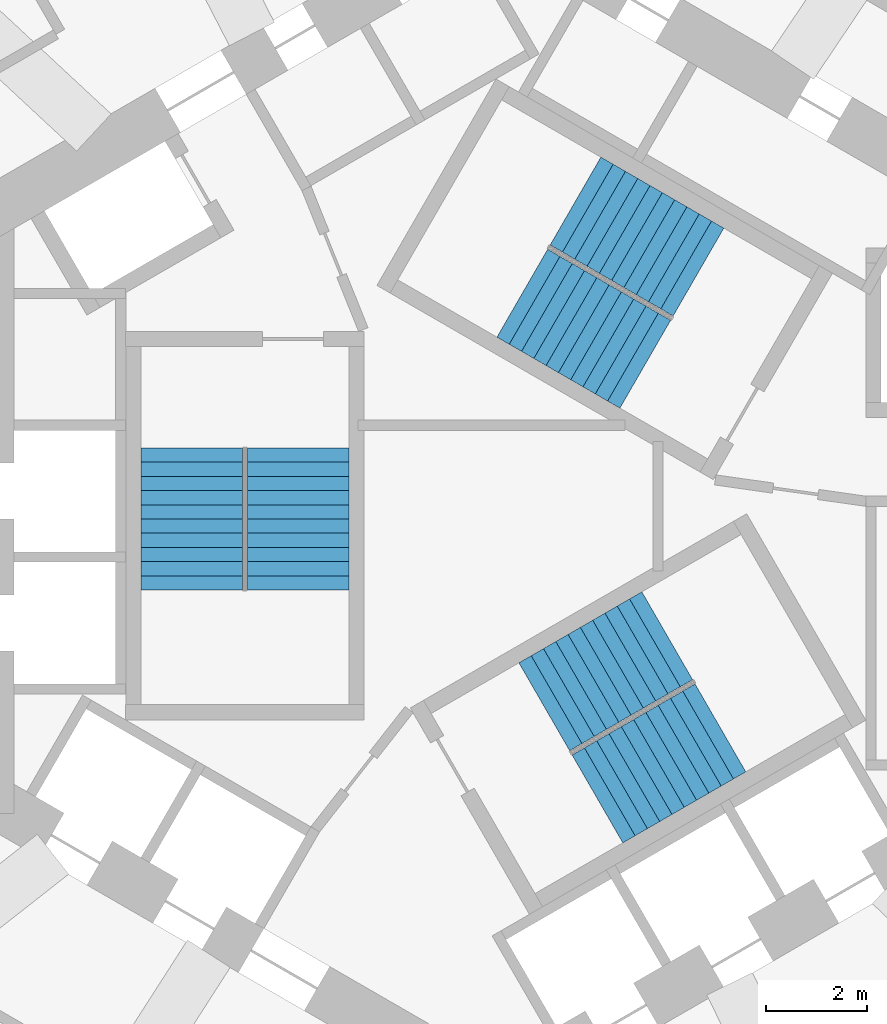
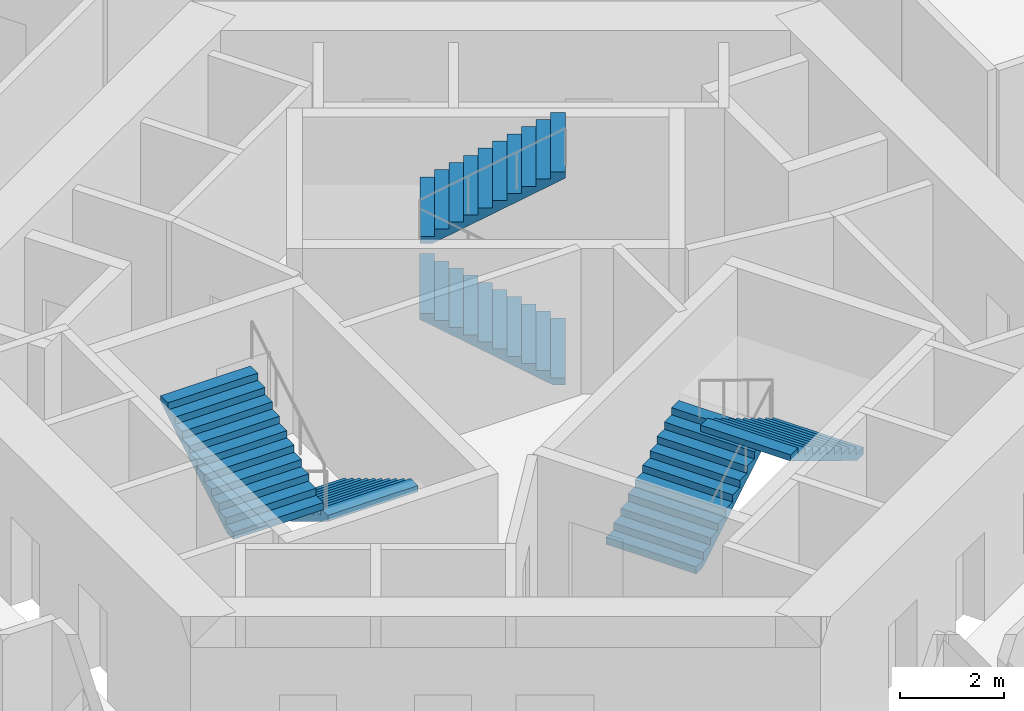
# One storey, part 9 of 11: 6 stair flights, 3 elements without a shape of their own.
"""IFC4 building model written with IfcOpenShell, lengths in metres."""

from ifc_helpers import new_model, si_unit, direction, frame, origin, place, context, subcontext, project, spatial, triangles, source, transform, mapped, material, type_object, element, aggregate, save


model = new_model("IFC4")

# Units and contexts
model_context = context("Model", 3, precision=1e-05, world=origin(), true_north=direction((0.0, 1.0)))
body_context = subcontext(model_context, "Body", "Model", "MODEL_VIEW")
ifc_project = project(units=[si_unit("LENGTHUNIT", "METRE"), si_unit("AREAUNIT", "SQUARE_METRE"), si_unit("VOLUMEUNIT", "CUBIC_METRE"), si_unit("PLANEANGLEUNIT", "RADIAN"), si_unit("MASSUNIT", "GRAM", prefix="KILO")], contexts=[model_context])

# Site, building, storey
site_placement = place(None, origin())
site = spatial("IfcSite", under=ifc_project, at=site_placement, CompositionType="ELEMENT")
building_placement = place(site_placement, origin())
building = spatial("IfcBuilding", under=site, at=building_placement, Name="Vanh Sen Convention Tower", CompositionType="ELEMENT")
storey_placement = place(building_placement, frame((0.0, 0.0, 146.60009765625)))
storey = spatial("IfcBuildingStorey", under=building, at=storey_placement, Name="L35", CompositionType="ELEMENT", Elevation=146.60009765625)

# Stair, stair flights
ifc_material_1 = material(Name="Concrete C50/60", Category="concrete")
stair_type_1 = type_object("IfcStairType", Name="Exit stair ST1 22 risers at 168.2", PredefinedType="HALF_TURN_STAIR", material=ifc_material_1)
stair_1_placement = place(storey_placement, origin())
stair_1 = element("IfcStair", 1, at=stair_1_placement, inside=storey, type_object=stair_type_1, Name="Exit stair ST1 L35", PredefinedType="HALF_TURN_STAIR")
ifc_material_2 = material(Name="Concrete C40/50", Category="concrete")
stair_flight_type = type_object("IfcStairFlightType", Name="Stair flight 2000", PredefinedType="STRAIGHT", material=ifc_material_2)
shared_shape = source(origin(), body_context, "Body", "Tessellation", [
    triangles([(0.24267578125, 1.0, 0.0), (0.0, 1.0, 0.0), (0.0, 1.0, 0.168212890625), (0.280029296875, 1.0, 0.168212890625), (0.280029296875, 1.0, 0.33642578125), (0.56005859375, 1.0, 0.33642578125), (0.56005859375, 1.0, 0.504638671875), (0.840087890625, 1.0, 0.504638671875), (0.840087890625, 1.0, 0.672607421875), (1.1201171875, 1.0, 0.672607421875), (1.1201171875, 1.0, 0.8408203125), (1.39990234375, 1.0, 0.8408203125), (1.39990234375, 1.0, 1.009033203125), (1.679931640625, 1.0, 1.009033203125), (1.679931640625, 1.0, 1.17724609375), (1.9599609375, 1.0, 1.17724609375), (1.9599609375, 1.0, 1.345458984375), (2.239990234375, 1.0, 1.345458984375), (2.239990234375, 1.0, 1.513671875), (2.52001953125, 1.0, 1.513671875), (2.52001953125, 1.0, 1.681884765625), (2.800048828125, 1.0, 1.681884765625), (2.800048828125, 1.0, 1.535888671875), (0.24267578125, -1.0, 0.0), (0.0, -1.0, 0.0), (0.0, -1.0, 0.168212890625), (0.280029296875, -1.0, 0.168212890625), (0.280029296875, -1.0, 0.33642578125), (0.56005859375, -1.0, 0.33642578125), (0.56005859375, -1.0, 0.504638671875), (0.840087890625, -1.0, 0.504638671875), (0.840087890625, -1.0, 0.672607421875), (1.1201171875, -1.0, 0.672607421875), (1.1201171875, -1.0, 0.8408203125), (1.39990234375, -1.0, 0.8408203125), (1.39990234375, -1.0, 1.009033203125), (1.679931640625, -1.0, 1.009033203125), (1.679931640625, -1.0, 1.17724609375), (1.9599609375, -1.0, 1.17724609375), (1.9599609375, -1.0, 1.345458984375), (2.239990234375, -1.0, 1.345458984375), (2.239990234375, -1.0, 1.513671875), (2.52001953125, -1.0, 1.513671875), (2.52001953125, -1.0, 1.681884765625), (2.800048828125, -1.0, 1.681884765625), (2.800048828125, -1.0, 1.535888671875), (0.0, 0.0400390625, 0.0), (0.0, 0.0390625, 0.0), (0.0, 0.0380859375, 0.0), (0.0, 0.037109375, 0.0), (0.0, 0.035888671875, 0.0), (0.0, 0.034912109375, 0.0), (0.0, 0.033935546875, 0.0), (0.0, 0.032958984375, 0.0), (0.0, 0.031982421875, 0.0), (0.0, 0.031005859375, 0.0), (0.0, 0.030029296875, 0.0), (0.0, 0.029052734375, 0.0), (0.0, 0.028076171875, 0.0), (0.0, 0.027099609375, 0.0), (0.0, 0.02587890625, 0.0), (0.0, 0.02490234375, 0.0), (0.0, 0.02392578125, 0.0), (0.0, 0.02294921875, 0.0), (0.0, 0.02197265625, 0.0), (0.0, 0.02099609375, 0.0), (0.0, 0.02001953125, 0.0), (0.0, 0.01904296875, 0.0), (0.0, 0.01806640625, 0.0), (0.0, 0.01708984375, 0.0), (0.0, 0.01611328125, 0.0), (0.0, 0.014892578125, 0.0), (0.0, 0.013916015625, 0.0), (0.0, 0.012939453125, 0.0), (0.0, 0.011962890625, 0.0), (0.0, 0.010986328125, 0.0), (0.0, 0.010009765625, 0.0), (0.0, 0.009033203125, 0.0), (0.0, 0.008056640625, 0.0), (0.0, 0.007080078125, 0.0), (0.0, 0.006103515625, 0.0), (0.0, 0.0048828125, 0.0), (0.0, 0.00390625, 0.0), (0.0, 0.0029296875, 0.0), (0.0, 0.001953125, 0.0), (0.0, 0.0009765625, 0.0), (0.0, 0.0, 0.0), (0.0, -0.0009765625, 0.0), (0.0, -0.001953125, 0.0), (0.0, -0.0029296875, 0.0), (0.0, -0.00390625, 0.0), (0.0, -0.0048828125, 0.0), (0.0, -0.006103515625, 0.0), (0.0, -0.007080078125, 0.0), (0.0, -0.008056640625, 0.0), (0.0, -0.009033203125, 0.0), (0.0, -0.010009765625, 0.0), (0.0, -0.010986328125, 0.0), (0.0, -0.011962890625, 0.0), (0.0, -0.012939453125, 0.0), (0.0, -0.013916015625, 0.0), (0.0, -0.014892578125, 0.0), (0.0, -0.01611328125, 0.0), (0.0, -0.01708984375, 0.0), (0.0, -0.01806640625, 0.0), (0.0, -0.01904296875, 0.0), (0.0, -0.02001953125, 0.0), (0.0, -0.02099609375, 0.0), (0.0, -0.02197265625, 0.0), (0.0, -0.02294921875, 0.0), (0.0, -0.02392578125, 0.0), (0.0, -0.02490234375, 0.0), (0.0, -0.02587890625, 0.0), (0.0, -0.027099609375, 0.0), (0.0, -0.028076171875, 0.0), (0.0, -0.029052734375, 0.0), (0.0, -0.030029296875, 0.0), (0.0, -0.031005859375, 0.0), (0.0, -0.031982421875, 0.0), (0.0, -0.032958984375, 0.0), (0.0, -0.033935546875, 0.0), (0.0, -0.034912109375, 0.0), (0.0, -0.035888671875, 0.0), (0.0, -0.037109375, 0.0), (0.0, -0.0380859375, 0.0), (0.0, -0.0390625, 0.0), (0.0, -0.0400390625, 0.0), (0.0, 0.0400390625, 0.168212890625), (0.0, 0.0390625, 0.168212890625), (0.0, 0.0380859375, 0.168212890625), (0.0, 0.037109375, 0.168212890625), (0.0, 0.035888671875, 0.168212890625), (0.0, 0.034912109375, 0.168212890625), (0.0, 0.033935546875, 0.168212890625), (0.0, 0.032958984375, 0.168212890625), (0.0, 0.031982421875, 0.168212890625), (0.0, 0.031005859375, 0.168212890625), (0.0, 0.030029296875, 0.168212890625), (0.0, 0.029052734375, 0.168212890625), (0.0, 0.028076171875, 0.168212890625), (0.0, 0.027099609375, 0.168212890625), (0.0, 0.02587890625, 0.168212890625), (0.0, 0.02490234375, 0.168212890625), (0.0, 0.02392578125, 0.168212890625), (0.0, 0.02294921875, 0.168212890625), (0.0, 0.02197265625, 0.168212890625), (0.0, 0.02099609375, 0.168212890625), (0.0, 0.02001953125, 0.168212890625), (0.0, 0.01904296875, 0.168212890625), (0.0, 0.01806640625, 0.168212890625), (0.0, 0.01708984375, 0.168212890625), (0.0, 0.01611328125, 0.168212890625), (0.0, 0.014892578125, 0.168212890625), (0.0, 0.013916015625, 0.168212890625), (0.0, 0.012939453125, 0.168212890625), (0.0, 0.011962890625, 0.168212890625), (0.0, 0.010986328125, 0.168212890625), (0.0, 0.010009765625, 0.168212890625), (0.0, 0.009033203125, 0.168212890625), (0.0, 0.008056640625, 0.168212890625), (0.0, 0.007080078125, 0.168212890625), (0.0, 0.006103515625, 0.168212890625), (0.0, 0.0048828125, 0.168212890625), (0.0, 0.00390625, 0.168212890625), (0.0, 0.0029296875, 0.168212890625), (0.0, 0.001953125, 0.168212890625), (0.0, 0.0009765625, 0.168212890625), (0.0, 0.0, 0.168212890625), (0.0, -0.0009765625, 0.168212890625), (0.0, -0.001953125, 0.168212890625), (0.0, -0.0029296875, 0.168212890625), (0.0, -0.00390625, 0.168212890625), (0.0, -0.0048828125, 0.168212890625), (0.0, -0.006103515625, 0.168212890625), (0.0, -0.007080078125, 0.168212890625), (0.0, -0.008056640625, 0.168212890625), (0.0, -0.009033203125, 0.168212890625), (0.0, -0.010009765625, 0.168212890625), (0.0, -0.010986328125, 0.168212890625), (0.0, -0.011962890625, 0.168212890625), (0.0, -0.012939453125, 0.168212890625), (0.0, -0.013916015625, 0.168212890625), (0.0, -0.014892578125, 0.168212890625), (0.0, -0.01611328125, 0.168212890625), (0.0, -0.01708984375, 0.168212890625), (0.0, -0.01806640625, 0.168212890625), (0.0, -0.01904296875, 0.168212890625), (0.0, -0.02001953125, 0.168212890625), (0.0, -0.02099609375, 0.168212890625), (0.0, -0.02197265625, 0.168212890625), (0.0, -0.02294921875, 0.168212890625), (0.0, -0.02392578125, 0.168212890625), (0.0, -0.02490234375, 0.168212890625), (0.0, -0.02587890625, 0.168212890625), (0.0, -0.027099609375, 0.168212890625), (0.0, -0.028076171875, 0.168212890625), (0.0, -0.029052734375, 0.168212890625), (0.0, -0.030029296875, 0.168212890625), (0.0, -0.031005859375, 0.168212890625), (0.0, -0.031982421875, 0.168212890625), (0.0, -0.032958984375, 0.168212890625), (0.0, -0.033935546875, 0.168212890625), (0.0, -0.034912109375, 0.168212890625), (0.0, -0.035888671875, 0.168212890625), (0.0, -0.037109375, 0.168212890625), (0.0, -0.0380859375, 0.168212890625), (0.0, -0.0390625, 0.168212890625), (0.0, -0.0400390625, 0.168212890625), (0.280029296875, 0.0, 0.168212890625), (0.280029296875, 0.0, 0.33642578125), (0.56005859375, 0.0, 0.33642578125), (0.56005859375, 0.0, 0.504638671875), (0.840087890625, 0.0, 0.504638671875), (0.840087890625, 0.0, 0.672607421875), (1.1201171875, 0.0, 0.672607421875), (1.1201171875, 0.0, 0.8408203125), (1.39990234375, 0.0, 0.8408203125), (1.39990234375, 0.0, 1.009033203125), (1.679931640625, 0.0, 1.009033203125), (1.679931640625, 0.0, 1.17724609375), (1.9599609375, 0.0, 1.17724609375), (1.9599609375, 0.0, 1.345458984375), (2.239990234375, 0.0, 1.345458984375), (2.239990234375, 0.0, 1.513671875), (2.52001953125, 0.0, 1.513671875), (2.52001953125, 0.0, 1.681884765625), (2.800048828125, 0.0400390625, 1.681884765625), (2.800048828125, 0.0390625, 1.681884765625), (2.800048828125, 0.0380859375, 1.681884765625), (2.800048828125, 0.037109375, 1.681884765625), (2.800048828125, 0.035888671875, 1.681884765625), (2.800048828125, 0.034912109375, 1.681884765625), (2.800048828125, 0.033935546875, 1.681884765625), (2.800048828125, 0.032958984375, 1.681884765625), (2.800048828125, 0.031982421875, 1.681884765625), (2.800048828125, 0.031005859375, 1.681884765625), (2.800048828125, 0.030029296875, 1.681884765625), (2.800048828125, 0.029052734375, 1.681884765625), (2.800048828125, 0.028076171875, 1.681884765625), (2.800048828125, 0.027099609375, 1.681884765625), (2.800048828125, 0.02587890625, 1.681884765625), (2.800048828125, 0.02490234375, 1.681884765625), (2.800048828125, 0.02392578125, 1.681884765625), (2.800048828125, 0.02294921875, 1.681884765625), (2.800048828125, 0.02197265625, 1.681884765625), (2.800048828125, 0.02099609375, 1.681884765625), (2.800048828125, 0.02001953125, 1.681884765625), (2.800048828125, 0.01904296875, 1.681884765625), (2.800048828125, 0.01806640625, 1.681884765625), (2.800048828125, 0.01708984375, 1.681884765625), (2.800048828125, 0.01611328125, 1.681884765625), (2.800048828125, 0.014892578125, 1.681884765625), (2.800048828125, 0.013916015625, 1.681884765625), (2.800048828125, 0.012939453125, 1.681884765625), (2.800048828125, 0.011962890625, 1.681884765625), (2.800048828125, 0.010986328125, 1.681884765625), (2.800048828125, 0.010009765625, 1.681884765625), (2.800048828125, 0.009033203125, 1.681884765625), (2.800048828125, 0.008056640625, 1.681884765625), (2.800048828125, 0.007080078125, 1.681884765625), (2.800048828125, 0.006103515625, 1.681884765625), (2.800048828125, 0.0048828125, 1.681884765625), (2.800048828125, 0.00390625, 1.681884765625), (2.800048828125, 0.0029296875, 1.681884765625), (2.800048828125, 0.001953125, 1.681884765625), (2.800048828125, 0.0009765625, 1.681884765625), (2.800048828125, 0.0, 1.681884765625), (2.800048828125, -0.0009765625, 1.681884765625), (2.800048828125, -0.001953125, 1.681884765625), (2.800048828125, -0.0029296875, 1.681884765625), (2.800048828125, -0.00390625, 1.681884765625), (2.800048828125, -0.0048828125, 1.681884765625), (2.800048828125, -0.006103515625, 1.681884765625), (2.800048828125, -0.007080078125, 1.681884765625), (2.800048828125, -0.008056640625, 1.681884765625), (2.800048828125, -0.009033203125, 1.681884765625), (2.800048828125, -0.010009765625, 1.681884765625), (2.800048828125, -0.010986328125, 1.681884765625), (2.800048828125, -0.011962890625, 1.681884765625), (2.800048828125, -0.012939453125, 1.681884765625), (2.800048828125, -0.013916015625, 1.681884765625), (2.800048828125, -0.014892578125, 1.681884765625), (2.800048828125, -0.01611328125, 1.681884765625), (2.800048828125, -0.01708984375, 1.681884765625), (2.800048828125, -0.01806640625, 1.681884765625), (2.800048828125, -0.01904296875, 1.681884765625), (2.800048828125, -0.02001953125, 1.681884765625), (2.800048828125, -0.02099609375, 1.681884765625), (2.800048828125, -0.02197265625, 1.681884765625), (2.800048828125, -0.02294921875, 1.681884765625), (2.800048828125, -0.02392578125, 1.681884765625), (2.800048828125, -0.02490234375, 1.681884765625), (2.800048828125, -0.02587890625, 1.681884765625), (2.800048828125, -0.027099609375, 1.681884765625), (2.800048828125, -0.028076171875, 1.681884765625), (2.800048828125, -0.029052734375, 1.681884765625), (2.800048828125, -0.030029296875, 1.681884765625), (2.800048828125, -0.031005859375, 1.681884765625), (2.800048828125, -0.031982421875, 1.681884765625), (2.800048828125, -0.032958984375, 1.681884765625), (2.800048828125, -0.033935546875, 1.681884765625), (2.800048828125, -0.034912109375, 1.681884765625), (2.800048828125, -0.035888671875, 1.681884765625), (2.800048828125, -0.037109375, 1.681884765625), (2.800048828125, -0.0380859375, 1.681884765625), (2.800048828125, -0.0390625, 1.681884765625), (2.800048828125, -0.0400390625, 1.681884765625), (2.800048828125, 0.0400390625, 1.535888671875), (2.800048828125, 0.0390625, 1.535888671875), (2.800048828125, 0.0380859375, 1.535888671875), (2.800048828125, 0.037109375, 1.535888671875), (2.800048828125, 0.035888671875, 1.535888671875), (2.800048828125, 0.034912109375, 1.535888671875), (2.800048828125, 0.033935546875, 1.535888671875), (2.800048828125, 0.032958984375, 1.535888671875), (2.800048828125, 0.031982421875, 1.535888671875), (2.800048828125, 0.031005859375, 1.535888671875), (2.800048828125, 0.030029296875, 1.535888671875), (2.800048828125, 0.029052734375, 1.535888671875), (2.800048828125, 0.028076171875, 1.535888671875), (2.800048828125, 0.027099609375, 1.535888671875), (2.800048828125, 0.02587890625, 1.535888671875), (2.800048828125, 0.02490234375, 1.535888671875), (2.800048828125, 0.02392578125, 1.535888671875), (2.800048828125, 0.02294921875, 1.535888671875), (2.800048828125, 0.02197265625, 1.535888671875), (2.800048828125, 0.02099609375, 1.535888671875), (2.800048828125, 0.02001953125, 1.535888671875), (2.800048828125, 0.01904296875, 1.535888671875), (2.800048828125, 0.01806640625, 1.535888671875), (2.800048828125, 0.01708984375, 1.535888671875), (2.800048828125, 0.01611328125, 1.535888671875), (2.800048828125, 0.014892578125, 1.535888671875), (2.800048828125, 0.013916015625, 1.535888671875), (2.800048828125, 0.012939453125, 1.535888671875), (2.800048828125, 0.011962890625, 1.535888671875), (2.800048828125, 0.010986328125, 1.535888671875), (2.800048828125, 0.010009765625, 1.535888671875), (2.800048828125, 0.009033203125, 1.535888671875), (2.800048828125, 0.008056640625, 1.535888671875), (2.800048828125, 0.007080078125, 1.535888671875), (2.800048828125, 0.006103515625, 1.535888671875), (2.800048828125, 0.0048828125, 1.535888671875), (2.800048828125, 0.00390625, 1.535888671875), (2.800048828125, 0.0029296875, 1.535888671875), (2.800048828125, 0.001953125, 1.535888671875), (2.800048828125, 0.0009765625, 1.535888671875), (2.800048828125, 0.0, 1.535888671875), (2.800048828125, -0.0009765625, 1.535888671875), (2.800048828125, -0.001953125, 1.535888671875), (2.800048828125, -0.0029296875, 1.535888671875), (2.800048828125, -0.00390625, 1.535888671875), (2.800048828125, -0.0048828125, 1.535888671875), (2.800048828125, -0.006103515625, 1.535888671875), (2.800048828125, -0.007080078125, 1.535888671875), (2.800048828125, -0.008056640625, 1.535888671875), (2.800048828125, -0.009033203125, 1.535888671875), (2.800048828125, -0.010009765625, 1.535888671875), (2.800048828125, -0.010986328125, 1.535888671875), (2.800048828125, -0.011962890625, 1.535888671875), (2.800048828125, -0.012939453125, 1.535888671875), (2.800048828125, -0.013916015625, 1.535888671875), (2.800048828125, -0.014892578125, 1.535888671875), (2.800048828125, -0.01611328125, 1.535888671875), (2.800048828125, -0.01708984375, 1.535888671875), (2.800048828125, -0.01806640625, 1.535888671875), (2.800048828125, -0.01904296875, 1.535888671875), (2.800048828125, -0.02001953125, 1.535888671875), (2.800048828125, -0.02099609375, 1.535888671875), (2.800048828125, -0.02197265625, 1.535888671875), (2.800048828125, -0.02294921875, 1.535888671875), (2.800048828125, -0.02392578125, 1.535888671875), (2.800048828125, -0.02490234375, 1.535888671875), (2.800048828125, -0.02587890625, 1.535888671875), (2.800048828125, -0.027099609375, 1.535888671875), (2.800048828125, -0.028076171875, 1.535888671875), (2.800048828125, -0.029052734375, 1.535888671875), (2.800048828125, -0.030029296875, 1.535888671875), (2.800048828125, -0.031005859375, 1.535888671875), (2.800048828125, -0.031982421875, 1.535888671875), (2.800048828125, -0.032958984375, 1.535888671875), (2.800048828125, -0.033935546875, 1.535888671875), (2.800048828125, -0.034912109375, 1.535888671875), (2.800048828125, -0.035888671875, 1.535888671875), (2.800048828125, -0.037109375, 1.535888671875), (2.800048828125, -0.0380859375, 1.535888671875), (2.800048828125, -0.0390625, 1.535888671875), (2.800048828125, -0.0400390625, 1.535888671875), (0.24267578125, 0.0, 0.0)], [[1, 2, 3], [1, 3, 4], [4, 5, 6], [1, 4, 6], [6, 7, 8], [1, 6, 8], [8, 9, 10], [1, 8, 10], [10, 11, 12], [1, 10, 12], [12, 13, 14], [1, 12, 14], [14, 15, 16], [1, 14, 16], [16, 17, 18], [1, 16, 18], [18, 19, 20], [1, 18, 20], [20, 21, 22], [1, 20, 22], [22, 23, 1], [24, 26, 25], [24, 27, 26], [27, 29, 28], [24, 29, 27], [29, 31, 30], [24, 31, 29], [31, 33, 32], [24, 33, 31], [33, 35, 34], [24, 35, 33], [35, 37, 36], [24, 37, 35], [37, 39, 38], [24, 39, 37], [39, 41, 40], [24, 41, 39], [41, 43, 42], [24, 43, 41], [43, 45, 44], [24, 45, 43], [45, 24, 46], [2, 128, 3], [2, 47, 128], [47, 129, 128], [47, 48, 129], [48, 130, 129], [48, 49, 130], [49, 131, 130], [49, 50, 131], [50, 132, 131], [50, 51, 132], [51, 133, 132], [51, 52, 133], [52, 134, 133], [52, 53, 134], [53, 135, 134], [53, 54, 135], [54, 136, 135], [54, 55, 136], [55, 137, 136], [55, 56, 137], [56, 138, 137], [56, 57, 138], [57, 139, 138], [57, 58, 139], [58, 140, 139], [58, 59, 140], [59, 141, 140], [59, 60, 141], [60, 142, 141], [60, 61, 142], [61, 143, 142], [61, 62, 143], [62, 144, 143], [62, 63, 144], [63, 145, 144], [63, 64, 145], [64, 146, 145], [64, 65, 146], [65, 147, 146], [65, 66, 147], [66, 148, 147], [66, 67, 148], [67, 149, 148], [67, 68, 149], [68, 150, 149], [68, 69, 150], [69, 151, 150], [69, 70, 151], [70, 152, 151], [70, 71, 152], [71, 153, 152], [71, 72, 153], [72, 154, 153], [72, 73, 154], [73, 155, 154], [73, 74, 155], [74, 156, 155], [74, 75, 156], [75, 157, 156], [75, 76, 157], [76, 158, 157], [76, 77, 158], [77, 159, 158], [77, 78, 159], [78, 160, 159], [78, 79, 160], [79, 161, 160], [79, 80, 161], [80, 162, 161], [80, 81, 162], [81, 163, 162], [81, 82, 163], [82, 164, 163], [82, 83, 164], [83, 165, 164], [83, 84, 165], [84, 166, 165], [84, 85, 166], [85, 167, 166], [85, 86, 167], [86, 168, 167], [86, 87, 168], [87, 88, 168], [168, 88, 169], [88, 89, 169], [169, 89, 170], [89, 90, 170], [170, 90, 171], [90, 91, 171], [171, 91, 172], [91, 92, 172], [172, 92, 173], [92, 93, 173], [173, 93, 174], [93, 94, 174], [174, 94, 175], [94, 95, 175], [175, 95, 176], [95, 96, 176], [176, 96, 177], [96, 97, 177], [177, 97, 178], [97, 98, 178], [178, 98, 179], [98, 99, 179], [179, 99, 180], [99, 100, 180], [180, 100, 181], [100, 101, 181], [181, 101, 182], [101, 102, 182], [182, 102, 183], [102, 103, 183], [183, 103, 184], [103, 104, 184], [184, 104, 185], [104, 105, 185], [185, 105, 186], [105, 106, 186], [186, 106, 187], [106, 107, 187], [187, 107, 188], [107, 108, 188], [188, 108, 189], [108, 109, 189], [189, 109, 190], [109, 110, 190], [190, 110, 191], [110, 111, 191], [191, 111, 192], [111, 112, 192], [192, 112, 193], [112, 113, 193], [193, 113, 194], [113, 114, 194], [194, 114, 195], [114, 115, 195], [195, 115, 196], [115, 116, 196], [196, 116, 197], [116, 117, 197], [197, 117, 198], [117, 118, 198], [198, 118, 199], [118, 119, 199], [199, 119, 200], [119, 120, 200], [200, 120, 201], [120, 121, 201], [201, 121, 202], [121, 122, 202], [202, 122, 203], [122, 123, 203], [203, 123, 204], [123, 124, 204], [204, 124, 205], [124, 125, 205], [205, 125, 206], [125, 126, 206], [206, 126, 207], [126, 127, 207], [207, 127, 208], [127, 25, 208], [208, 25, 26], [4, 3, 128], [4, 128, 129], [4, 129, 130], [4, 130, 131], [4, 131, 132], [4, 132, 133], [4, 133, 134], [4, 134, 135], [4, 135, 136], [4, 136, 137], [4, 137, 138], [4, 138, 139], [4, 139, 140], [4, 140, 141], [4, 141, 142], [4, 142, 143], [4, 143, 144], [4, 144, 145], [4, 145, 146], [4, 146, 147], [4, 147, 148], [4, 148, 149], [4, 149, 150], [4, 150, 151], [4, 151, 152], [4, 152, 153], [4, 153, 154], [4, 154, 155], [4, 155, 156], [4, 156, 157], [4, 157, 158], [4, 158, 159], [4, 159, 160], [4, 160, 161], [4, 161, 162], [4, 162, 163], [4, 163, 164], [4, 164, 165], [4, 165, 166], [4, 166, 167], [4, 167, 168], [27, 168, 169], [27, 169, 170], [27, 170, 171], [27, 171, 172], [27, 172, 173], [27, 173, 174], [27, 174, 175], [27, 175, 176], [27, 176, 177], [27, 177, 178], [27, 178, 179], [27, 179, 180], [27, 180, 181], [27, 181, 182], [27, 182, 183], [27, 183, 184], [27, 184, 185], [27, 185, 186], [27, 186, 187], [27, 187, 188], [27, 188, 189], [27, 189, 190], [27, 190, 191], [27, 191, 192], [27, 192, 193], [27, 193, 194], [27, 194, 195], [27, 195, 196], [27, 196, 197], [27, 197, 198], [27, 198, 199], [27, 199, 200], [27, 200, 201], [27, 201, 202], [27, 202, 203], [27, 203, 204], [27, 204, 205], [27, 205, 206], [27, 206, 207], [27, 207, 208], [27, 208, 26], [4, 168, 209], [27, 209, 168], [4, 210, 5], [4, 209, 210], [209, 27, 210], [210, 27, 28], [5, 211, 6], [5, 210, 211], [210, 28, 211], [211, 28, 29], [6, 212, 7], [6, 211, 212], [211, 29, 212], [212, 29, 30], [7, 213, 8], [7, 212, 213], [212, 30, 213], [213, 30, 31], [8, 214, 9], [8, 213, 214], [213, 31, 214], [214, 31, 32], [9, 215, 10], [9, 214, 215], [214, 32, 215], [215, 32, 33], [10, 216, 11], [10, 215, 216], [215, 33, 216], [216, 33, 34], [11, 217, 12], [11, 216, 217], [216, 34, 217], [217, 34, 35], [12, 218, 13], [12, 217, 218], [217, 35, 218], [218, 35, 36], [13, 219, 14], [13, 218, 219], [218, 36, 219], [219, 36, 37], [14, 220, 15], [14, 219, 220], [219, 37, 220], [220, 37, 38], [15, 221, 16], [15, 220, 221], [220, 38, 221], [221, 38, 39], [16, 222, 17], [16, 221, 222], [221, 39, 222], [222, 39, 40], [17, 223, 18], [17, 222, 223], [222, 40, 223], [223, 40, 41], [18, 224, 19], [18, 223, 224], [223, 41, 224], [224, 41, 42], [19, 225, 20], [19, 224, 225], [224, 42, 225], [225, 42, 43], [20, 226, 21], [20, 225, 226], [225, 43, 226], [226, 43, 44], [21, 227, 22], [21, 228, 227], [21, 229, 228], [21, 230, 229], [21, 231, 230], [21, 232, 231], [21, 233, 232], [21, 234, 233], [21, 235, 234], [21, 236, 235], [21, 237, 236], [21, 238, 237], [21, 239, 238], [21, 240, 239], [21, 241, 240], [21, 242, 241], [21, 243, 242], [21, 244, 243], [21, 245, 244], [21, 246, 245], [21, 247, 246], [21, 248, 247], [21, 249, 248], [21, 250, 249], [21, 251, 250], [21, 252, 251], [21, 253, 252], [21, 254, 253], [21, 255, 254], [21, 256, 255], [21, 257, 256], [21, 258, 257], [21, 259, 258], [21, 260, 259], [21, 261, 260], [21, 262, 261], [21, 263, 262], [21, 264, 263], [21, 265, 264], [21, 266, 265], [21, 267, 266], [44, 268, 267], [44, 269, 268], [44, 270, 269], [44, 271, 270], [44, 272, 271], [44, 273, 272], [44, 274, 273], [44, 275, 274], [44, 276, 275], [44, 277, 276], [44, 278, 277], [44, 279, 278], [44, 280, 279], [44, 281, 280], [44, 282, 281], [44, 283, 282], [44, 284, 283], [44, 285, 284], [44, 286, 285], [44, 287, 286], [44, 288, 287], [44, 289, 288], [44, 290, 289], [44, 291, 290], [44, 292, 291], [44, 293, 292], [44, 294, 293], [44, 295, 294], [44, 296, 295], [44, 297, 296], [44, 298, 297], [44, 299, 298], [44, 300, 299], [44, 301, 300], [44, 302, 301], [44, 303, 302], [44, 304, 303], [44, 305, 304], [44, 306, 305], [44, 307, 306], [44, 45, 307], [21, 226, 267], [44, 267, 226], [22, 308, 23], [22, 227, 308], [227, 309, 308], [227, 228, 309], [228, 310, 309], [228, 229, 310], [229, 311, 310], [229, 230, 311], [230, 312, 311], [230, 231, 312], [231, 313, 312], [231, 232, 313], [232, 314, 313], [232, 233, 314], [233, 315, 314], [233, 234, 315], [234, 316, 315], [234, 235, 316], [235, 317, 316], [235, 236, 317], [236, 318, 317], [236, 237, 318], [237, 319, 318], [237, 238, 319], [238, 320, 319], [238, 239, 320], [239, 321, 320], [239, 240, 321], [240, 322, 321], [240, 241, 322], [241, 323, 322], [241, 242, 323], [242, 324, 323], [242, 243, 324], [243, 325, 324], [243, 244, 325], [244, 326, 325], [244, 245, 326], [245, 327, 326], [245, 246, 327], [246, 328, 327], [246, 247, 328], [247, 329, 328], [247, 248, 329], [248, 330, 329], [248, 249, 330], [249, 331, 330], [249, 250, 331], [250, 332, 331], [250, 251, 332], [251, 333, 332], [251, 252, 333], [252, 334, 333], [252, 253, 334], [253, 335, 334], [253, 254, 335], [254, 336, 335], [254, 255, 336], [255, 337, 336], [255, 256, 337], [256, 338, 337], [256, 257, 338], [257, 339, 338], [257, 258, 339], [258, 340, 339], [258, 259, 340], [259, 341, 340], [259, 260, 341], [260, 342, 341], [260, 261, 342], [261, 343, 342], [261, 262, 343], [262, 344, 343], [262, 263, 344], [263, 345, 344], [263, 264, 345], [264, 346, 345], [264, 265, 346], [265, 347, 346], [265, 266, 347], [266, 348, 347], [266, 267, 348], [267, 268, 348], [348, 268, 349], [268, 269, 349], [349, 269, 350], [269, 270, 350], [350, 270, 351], [270, 271, 351], [351, 271, 352], [271, 272, 352], [352, 272, 353], [272, 273, 353], [353, 273, 354], [273, 274, 354], [354, 274, 355], [274, 275, 355], [355, 275, 356], [275, 276, 356], [356, 276, 357], [276, 277, 357], [357, 277, 358], [277, 278, 358], [358, 278, 359], [278, 279, 359], [359, 279, 360], [279, 280, 360], [360, 280, 361], [280, 281, 361], [361, 281, 362], [281, 282, 362], [362, 282, 363], [282, 283, 363], [363, 283, 364], [283, 284, 364], [364, 284, 365], [284, 285, 365], [365, 285, 366], [285, 286, 366], [366, 286, 367], [286, 287, 367], [367, 287, 368], [287, 288, 368], [368, 288, 369], [288, 289, 369], [369, 289, 370], [289, 290, 370], [370, 290, 371], [290, 291, 371], [371, 291, 372], [291, 292, 372], [372, 292, 373], [292, 293, 373], [373, 293, 374], [293, 294, 374], [374, 294, 375], [294, 295, 375], [375, 295, 376], [295, 296, 376], [376, 296, 377], [296, 297, 377], [377, 297, 378], [297, 298, 378], [378, 298, 379], [298, 299, 379], [379, 299, 380], [299, 300, 380], [380, 300, 381], [300, 301, 381], [381, 301, 382], [301, 302, 382], [382, 302, 383], [302, 303, 383], [383, 303, 384], [303, 304, 384], [384, 304, 385], [304, 305, 385], [385, 305, 386], [305, 306, 386], [386, 306, 387], [306, 307, 387], [387, 307, 388], [307, 45, 388], [388, 45, 46], [1, 23, 308], [1, 308, 309], [1, 309, 310], [1, 310, 311], [1, 311, 312], [1, 312, 313], [1, 313, 314], [1, 314, 315], [1, 315, 316], [1, 316, 317], [1, 317, 318], [1, 318, 319], [1, 319, 320], [1, 320, 321], [1, 321, 322], [1, 322, 323], [1, 323, 324], [1, 324, 325], [1, 325, 326], [1, 326, 327], [1, 327, 328], [1, 328, 329], [1, 329, 330], [1, 330, 331], [1, 331, 332], [1, 332, 333], [1, 333, 334], [1, 334, 335], [1, 335, 336], [1, 336, 337], [1, 337, 338], [1, 338, 339], [1, 339, 340], [1, 340, 341], [1, 341, 342], [1, 342, 343], [1, 343, 344], [1, 344, 345], [1, 345, 346], [1, 346, 347], [1, 347, 348], [24, 348, 349], [24, 349, 350], [24, 350, 351], [24, 351, 352], [24, 352, 353], [24, 353, 354], [24, 354, 355], [24, 355, 356], [24, 356, 357], [24, 357, 358], [24, 358, 359], [24, 359, 360], [24, 360, 361], [24, 361, 362], [24, 362, 363], [24, 363, 364], [24, 364, 365], [24, 365, 366], [24, 366, 367], [24, 367, 368], [24, 368, 369], [24, 369, 370], [24, 370, 371], [24, 371, 372], [24, 372, 373], [24, 373, 374], [24, 374, 375], [24, 375, 376], [24, 376, 377], [24, 377, 378], [24, 378, 379], [24, 379, 380], [24, 380, 381], [24, 381, 382], [24, 382, 383], [24, 383, 384], [24, 384, 385], [24, 385, 386], [24, 386, 387], [24, 387, 388], [24, 388, 46], [1, 348, 389], [24, 389, 348], [1, 47, 2], [1, 48, 47], [1, 49, 48], [1, 50, 49], [1, 51, 50], [1, 52, 51], [1, 53, 52], [1, 54, 53], [1, 55, 54], [1, 56, 55], [1, 57, 56], [1, 58, 57], [1, 59, 58], [1, 60, 59], [1, 61, 60], [1, 62, 61], [1, 63, 62], [1, 64, 63], [1, 65, 64], [1, 66, 65], [1, 67, 66], [1, 68, 67], [1, 69, 68], [1, 70, 69], [1, 71, 70], [1, 72, 71], [1, 73, 72], [1, 74, 73], [1, 75, 74], [1, 76, 75], [1, 77, 76], [1, 78, 77], [1, 79, 78], [1, 80, 79], [1, 81, 80], [1, 82, 81], [1, 83, 82], [1, 84, 83], [1, 85, 84], [1, 86, 85], [1, 87, 86], [24, 88, 87], [24, 89, 88], [24, 90, 89], [24, 91, 90], [24, 92, 91], [24, 93, 92], [24, 94, 93], [24, 95, 94], [24, 96, 95], [24, 97, 96], [24, 98, 97], [24, 99, 98], [24, 100, 99], [24, 101, 100], [24, 102, 101], [24, 103, 102], [24, 104, 103], [24, 105, 104], [24, 106, 105], [24, 107, 106], [24, 108, 107], [24, 109, 108], [24, 110, 109], [24, 111, 110], [24, 112, 111], [24, 113, 112], [24, 114, 113], [24, 115, 114], [24, 116, 115], [24, 117, 116], [24, 118, 117], [24, 119, 118], [24, 120, 119], [24, 121, 120], [24, 122, 121], [24, 123, 122], [24, 124, 123], [24, 125, 124], [24, 126, 125], [24, 127, 126], [24, 25, 127], [1, 389, 87], [24, 87, 389]], closed=True),
])
stair_flight_1_placement = place(storey_placement, frame((2.94580078125, 2.802490234375, 0.0), z_axis=(0.0, 0.0, 1.0), x_axis=(-0.866025403784, 0.5, 0.0)))
stair_flight_1 = element("IfcStairFlight", 2, at=stair_flight_1_placement, type_object=stair_flight_type, Name="ST1 flight 1", NumberOfRisers=11, NumberOfTreads=10, PredefinedType="STRAIGHT", RiserHeight=0.168181818, TreadLength=0.28, context=body_context, shape_type="MappedRepresentation", body=[
    mapped(shared_shape, transform((0.0, 0.0, 0.0))),
])
stair_flight_2_placement = place(storey_placement, frame((1.571044921875, 6.021240234375, 1.849853515625), z_axis=(0.0, 0.0, 1.0), x_axis=(0.866025403784, -0.5, 0.0)))
stair_flight_2 = element("IfcStairFlight", 3, at=stair_flight_2_placement, type_object=stair_flight_type, Name="ST1 flight 2", NumberOfRisers=11, NumberOfTreads=10, PredefinedType="STRAIGHT", RiserHeight=0.168181818, TreadLength=0.28, context=body_context, shape_type="MappedRepresentation", body=[
    mapped(shared_shape, transform((0.0, 0.0, 0.0))),
])
aggregate(stair_1, [stair_flight_1, stair_flight_2])

stair_type_2 = type_object("IfcStairType", Name="Exit stair ST2 22 risers at 168.2", PredefinedType="HALF_TURN_STAIR", material=ifc_material_1)
stair_2_placement = place(storey_placement, origin())
stair_2 = element("IfcStair", 4, at=stair_2_placement, inside=storey, type_object=stair_type_2, Name="Exit stair ST2 L35", PredefinedType="HALF_TURN_STAIR")
stair_flight_3_placement = place(storey_placement, frame((-3.89990234375, 1.14990234375, 0.0), z_axis=(0.0, 0.0, 1.0), x_axis=(0.0, -1.0, 0.0)))
stair_flight_3 = element("IfcStairFlight", 5, at=stair_flight_3_placement, type_object=stair_flight_type, Name="ST2 flight 1", NumberOfRisers=11, NumberOfTreads=10, PredefinedType="STRAIGHT", RiserHeight=0.168181818, TreadLength=0.28, context=body_context, shape_type="MappedRepresentation", body=[
    mapped(shared_shape, transform((0.0, 0.0, 0.0))),
])
stair_flight_4_placement = place(storey_placement, frame((-6.0, -1.64990234375, 1.849853515625), z_axis=(0.0, 0.0, 1.0), x_axis=(0.0, 1.0, 0.0)))
stair_flight_4 = element("IfcStairFlight", 6, at=stair_flight_4_placement, type_object=stair_flight_type, Name="ST2 flight 2", NumberOfRisers=11, NumberOfTreads=10, PredefinedType="STRAIGHT", RiserHeight=0.168181818, TreadLength=0.28, context=body_context, shape_type="MappedRepresentation", body=[
    mapped(shared_shape, transform((0.0, 0.0, 0.0))),
])
aggregate(stair_2, [stair_flight_3, stair_flight_4])

stair_type_3 = type_object("IfcStairType", Name="Exit stair ST3 22 risers at 168.2", PredefinedType="HALF_TURN_STAIR", material=ifc_material_1)
stair_3_placement = place(storey_placement, origin())
stair_3 = element("IfcStair", 7, at=stair_3_placement, inside=storey, type_object=stair_type_3, Name="Exit stair ST3 L35", PredefinedType="HALF_TURN_STAIR")
stair_flight_5_placement = place(storey_placement, frame((0.9541015625, -3.952392578125, 0.0), z_axis=(0.0, 0.0, 1.0), x_axis=(0.866025403784, 0.5, 0.0)))
stair_flight_5 = element("IfcStairFlight", 8, at=stair_flight_5_placement, type_object=stair_flight_type, Name="ST3 flight 1", NumberOfRisers=11, NumberOfTreads=10, PredefinedType="STRAIGHT", RiserHeight=0.168181818, TreadLength=0.28, context=body_context, shape_type="MappedRepresentation", body=[
    mapped(shared_shape, transform((0.0, 0.0, 0.0))),
])
stair_flight_6_placement = place(storey_placement, frame((4.428955078125, -4.37109375, 1.849853515625), z_axis=(0.0, 0.0, 1.0), x_axis=(-0.866025403784, -0.5, 0.0)))
stair_flight_6 = element("IfcStairFlight", 9, at=stair_flight_6_placement, type_object=stair_flight_type, Name="ST3 flight 2", NumberOfRisers=11, NumberOfTreads=10, PredefinedType="STRAIGHT", RiserHeight=0.168181818, TreadLength=0.28, context=body_context, shape_type="MappedRepresentation", body=[
    mapped(shared_shape, transform((0.0, 0.0, 0.0))),
])
aggregate(stair_3, [stair_flight_5, stair_flight_6])

save(model, "model.ifc")
